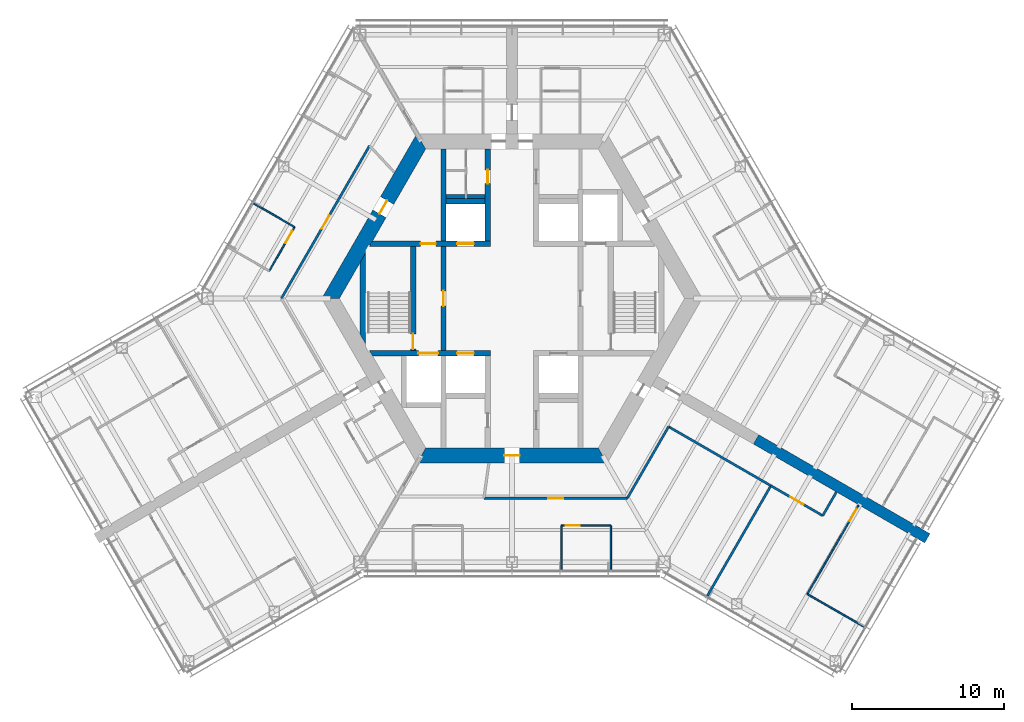
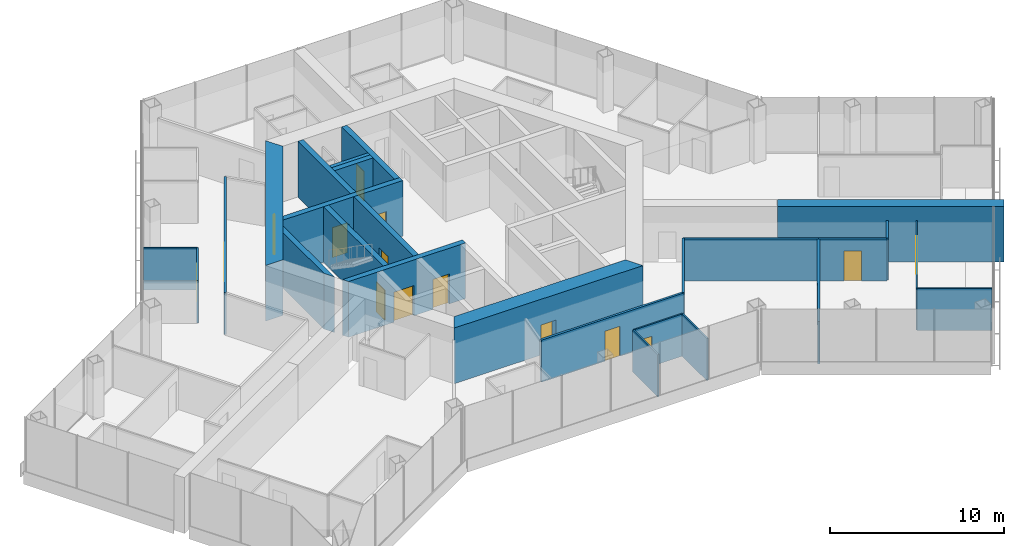
# One storey, part 13 of 18: 26 walls, 15 doors, 15 openings.
"""IFC4 building model written with IfcOpenShell, lengths in metres."""

from ifc_helpers import new_model, si_unit, direction, frame, frame_2d, origin, place, context, subcontext, project, spatial, polyline, rectangle, outline, extrude, material, layer, layer_set, type_object, element, fill, save


model = new_model("IFC4")

# Units and contexts
model_context = context("Model", 3, precision=1e-05, world=origin(), true_north=direction((0.0, 1.0)))
body_context = subcontext(model_context, "Body", "Model", "MODEL_VIEW")
ifc_project = project(units=[si_unit("LENGTHUNIT", "METRE"), si_unit("AREAUNIT", "SQUARE_METRE"), si_unit("VOLUMEUNIT", "CUBIC_METRE"), si_unit("PLANEANGLEUNIT", "RADIAN"), si_unit("MASSUNIT", "GRAM", prefix="KILO")], contexts=[model_context])

# Site, building, storey
site_placement = place(None, origin())
site = spatial("IfcSite", under=ifc_project, at=site_placement, CompositionType="ELEMENT")
building_placement = place(site_placement, origin())
building = spatial("IfcBuilding", under=site, at=building_placement, Name="Kasaneha Research Tower", CompositionType="ELEMENT")
storey_placement = place(building_placement, frame((0.0, 0.0, 187.699951171875)))
storey = spatial("IfcBuildingStorey", under=building, at=storey_placement, Name="L47", CompositionType="ELEMENT", Elevation=187.699951171875)

# Wall, openings, doors
ifc_material_1 = material(Name="Concrete Fc70", Category="concrete")
ifc_layer_1 = layer(ifc_material_1, 0.35009765625)
ifc_layer_set_1 = layer_set([ifc_layer_1], Name="Core internal wall 350 Fc70")
wall_type_1 = type_object("IfcWallType", Name="Core internal wall 350 Fc70", PredefinedType="SHEAR", material=ifc_layer_set_1)
wall_1_placement = place(storey_placement, frame((-9.266357421875, 3.60009765625, 0.0), z_axis=(0.0, 0.0, 1.0), x_axis=(1.0, 0.0, 0.0)))
wall_1 = element("IfcWall", 1, at=wall_1_placement, inside=storey, type_object=wall_type_1, Name="Core wall W1W L47", PredefinedType="SHEAR", context=body_context, shape_type="SweptSolid", body=[
    extrude(outline(polyline([(-0.10107421875, -0.175048828125), (3.266357421875, -0.175048828125), (4.266357421875, -0.175048828125), (5.66650390625, -0.175048828125), (6.7666015625, -0.175048828125), (7.84130859375, -0.175048828125), (7.84130859375, 0.175048828125), (6.7666015625, 0.175048828125), (5.66650390625, 0.175048828125), (4.266357421875, 0.175048828125), (3.266357421875, 0.175048828125), (0.10107421875, 0.175048828125), (-0.10107421875, -0.175048828125)])), origin(), (0.0, 0.0, 1.0), 3.900146484375),
])
opening_1_placement = place(wall_1_placement, frame((3.266357421875, 0.0, 0.0)))
opening_1 = element("IfcOpeningElement", 2, at=opening_1_placement, cuts=wall_1, Name="Opening L47-D12", PredefinedType="OPENING", context=body_context, shape_type="SweptSolid", body=[
    extrude(rectangle(XDim=1.0, YDim=2.10009765625, at=frame_2d((0.5, 1.050048828125))), frame((0.0, 0.18505859375, 0.0), z_axis=(0.0, -1.0, 0.0), x_axis=(1.0, 0.0, 0.0)), (0.0, 0.0, 1.0), 0.3701171875),
])
opening_2_placement = place(wall_1_placement, frame((5.66650390625, 0.0, 0.0)))
opening_2 = element("IfcOpeningElement", 3, at=opening_2_placement, cuts=wall_1, Name="Opening LD-LM1-L47", PredefinedType="OPENING", context=body_context, shape_type="SweptSolid", body=[
    extrude(rectangle(XDim=1.10009765625, YDim=2.10009765625, at=frame_2d((0.550048828125, 1.050048828125))), frame((0.0, 0.18505859375, 0.0), z_axis=(0.0, -1.0, 0.0), x_axis=(1.0, 0.0, 0.0)), (0.0, 0.0, 1.0), 0.3701171875),
])
ifc_material_2 = material(Name="Steel", Category="steel")
door_type_1 = type_object("IfcDoorType", Name="Lift landing door 1100x2100", OperationType="DOUBLE_DOOR_SLIDING", PredefinedType="DOOR", material=ifc_material_2)
door_1_placement = place(opening_2_placement, origin())
door_1 = element("IfcDoor", 4, at=door_1_placement, inside=storey, type_object=door_type_1, Name="Landing door LM1 LD-LM1-L47", OperationType="DOUBLE_DOOR_SLIDING", OverallHeight=2.10009765625, OverallWidth=1.10009765625, PredefinedType="DOOR", context=body_context, shape_type="SweptSolid", body=[
    extrude(rectangle(XDim=1.10009765625, YDim=2.10009765625, at=frame_2d((0.550048828125, 1.050048828125))), frame((0.0, 0.02490234375, 0.0), z_axis=(0.0, -1.0, 0.0), x_axis=(1.0, 0.0, 0.0)), (0.0, 0.0, 1.0), 0.050048828125),
])
fill(opening_2, door_1)
ifc_material_3 = material(Name="Steel", Category="steel")
door_type_2 = type_object("IfcDoorType", Name="Specified fire door FD60 1000x2100", OperationType="NOTDEFINED", PredefinedType="DOOR", material=ifc_material_3)
door_2_placement = place(opening_1_placement, origin())
door_2 = element("IfcDoor", 5, at=door_2_placement, inside=storey, type_object=door_type_2, Name="Vestibule to lobby door L47-D12", OperationType="SINGLE_SWING_LEFT", OverallHeight=2.10009765625, OverallWidth=1.0, PredefinedType="DOOR", context=body_context, shape_type="SweptSolid", body=[
    extrude(rectangle(XDim=1.0, YDim=2.10009765625, at=frame_2d((0.5, 1.050048828125))), frame((0.0, 0.02490234375, 0.0), z_axis=(0.0, -1.0, 0.0), x_axis=(1.0, 0.0, 0.0)), (0.0, 0.0, 1.0), 0.050048828125),
])
fill(opening_1, door_2)

wall_2_placement = place(storey_placement, frame((-9.266357421875, -3.60009765625, 0.0), z_axis=(0.0, 0.0, 1.0), x_axis=(1.0, 0.0, 0.0)))
wall_2 = element("IfcWall", 6, at=wall_2_placement, inside=storey, type_object=wall_type_1, Name="Core wall W2W L47", PredefinedType="SHEAR", context=body_context, shape_type="SweptSolid", body=[
    extrude(outline(polyline([(0.10107421875, -0.175048828125), (3.116455078125, -0.175048828125), (4.41650390625, -0.175048828125), (5.66650390625, -0.175048828125), (6.7666015625, -0.175048828125), (7.84130859375, -0.175048828125), (7.84130859375, 0.175048828125), (6.7666015625, 0.175048828125), (5.66650390625, 0.175048828125), (4.41650390625, 0.175048828125), (3.116455078125, 0.175048828125), (-0.10107421875, 0.175048828125), (0.10107421875, -0.175048828125)])), origin(), (0.0, 0.0, 1.0), 3.900146484375),
])
opening_3_placement = place(wall_2_placement, frame((5.66650390625, 0.0, 0.0)))
opening_3 = element("IfcOpeningElement", 7, at=opening_3_placement, cuts=wall_2, Name="Opening LD-LM3-L47", PredefinedType="OPENING", context=body_context, shape_type="SweptSolid", body=[
    extrude(rectangle(XDim=1.10009765625, YDim=2.10009765625, at=frame_2d((0.550048828125, 1.050048828125))), frame((0.0, 0.18505859375, 0.0), z_axis=(0.0, -1.0, 0.0), x_axis=(1.0, 0.0, 0.0)), (0.0, 0.0, 1.0), 0.3701171875),
])
opening_4_placement = place(wall_2_placement, frame((3.116455078125, 0.0, 0.0)))
opening_4 = element("IfcOpeningElement", 8, at=opening_4_placement, cuts=wall_2, Name="Opening LD-FL2-L47", PredefinedType="OPENING", context=body_context, shape_type="SweptSolid", body=[
    extrude(rectangle(XDim=1.300048828125, YDim=2.10009765625, at=frame_2d((0.64990234375, 1.050048828125))), frame((0.0, 0.18505859375, 0.0), z_axis=(0.0, -1.0, 0.0), x_axis=(1.0, 0.0, 0.0)), (0.0, 0.0, 1.0), 0.3701171875),
])
door_3_placement = place(opening_3_placement, origin())
door_3 = element("IfcDoor", 9, at=door_3_placement, inside=storey, type_object=door_type_1, Name="Landing door LM3 LD-LM3-L47", OperationType="DOUBLE_DOOR_SLIDING", OverallHeight=2.10009765625, OverallWidth=1.10009765625, PredefinedType="DOOR", context=body_context, shape_type="SweptSolid", body=[
    extrude(rectangle(XDim=1.10009765625, YDim=2.10009765625, at=frame_2d((0.550048828125, 1.050048828125))), frame((0.0, 0.02490234375, 0.0), z_axis=(0.0, -1.0, 0.0), x_axis=(1.0, 0.0, 0.0)), (0.0, 0.0, 1.0), 0.050048828125),
])
fill(opening_3, door_3)
ifc_material_4 = material(Name="Steel", Category="steel")
door_type_3 = type_object("IfcDoorType", Name="Lift landing door 1300x2100", OperationType="DOUBLE_DOOR_SLIDING", PredefinedType="DOOR", material=ifc_material_4)
door_4_placement = place(opening_4_placement, origin())
door_4 = element("IfcDoor", 10, at=door_4_placement, inside=storey, type_object=door_type_3, Name="Landing door FL2 LD-FL2-L47", OperationType="DOUBLE_DOOR_SLIDING", OverallHeight=2.10009765625, OverallWidth=1.300048828125, PredefinedType="DOOR", context=body_context, shape_type="SweptSolid", body=[
    extrude(rectangle(XDim=1.300048828125, YDim=2.10009765625, at=frame_2d((0.64990234375, 1.050048828125))), frame((0.0, 0.02490234375, 0.0), z_axis=(0.0, -1.0, 0.0), x_axis=(1.0, 0.0, 0.0)), (0.0, 0.0, 1.0), 0.050048828125),
])
fill(opening_4, door_4)

# Wall, opening, door
wall_3_placement = place(storey_placement, frame((-1.60009765625, 3.77490234375, 0.0), z_axis=(0.0, 0.0, 1.0), x_axis=(0.0, 1.0, 0.0)))
wall_3 = element("IfcWall", 11, at=wall_3_placement, inside=storey, type_object=wall_type_1, Name="Core wall CNW L47", PredefinedType="SHEAR", context=body_context, shape_type="SweptSolid", body=[
    extrude(rectangle(XDim=6.050048828125, YDim=0.35009765625, at=frame_2d((3.02490234375, 0.0))), origin(), (0.0, 0.0, 1.0), 3.900146484375),
])
opening_5_placement = place(wall_3_placement, frame((3.77490234375, 0.0, 0.0)))
opening_5 = element("IfcOpeningElement", 12, at=opening_5_placement, cuts=wall_3, Name="Opening L47-D13", PredefinedType="OPENING", context=body_context, shape_type="SweptSolid", body=[
    extrude(rectangle(XDim=0.89990234375, YDim=2.10009765625, at=frame_2d((0.449951171875, 1.050048828125))), frame((0.0, 0.18505859375, 0.0), z_axis=(0.0, -1.0, 0.0), x_axis=(1.0, 0.0, 0.0)), (0.0, 0.0, 1.0), 0.3701171875),
])
ifc_material_5 = material(Name="Steel", Category="steel")
door_type_4 = type_object("IfcDoorType", Name="Toilet door FD20 900x2100", OperationType="NOTDEFINED", PredefinedType="DOOR", material=ifc_material_5)
door_5_placement = place(opening_5_placement, origin())
door_5 = element("IfcDoor", 13, at=door_5_placement, inside=storey, type_object=door_type_4, Name="Men's WC door L47-D13", OperationType="SINGLE_SWING_LEFT", OverallHeight=2.10009765625, OverallWidth=0.89990234375, PredefinedType="DOOR", context=body_context, shape_type="SweptSolid", body=[
    extrude(rectangle(XDim=0.89990234375, YDim=2.10009765625, at=frame_2d((0.449951171875, 1.050048828125))), frame((0.0, 0.02490234375, 0.0), z_axis=(0.0, -1.0, 0.0), x_axis=(1.0, 0.0, 0.0)), (0.0, 0.0, 1.0), 0.050048828125),
])
fill(opening_5, door_5)

wall_4_placement = place(storey_placement, frame((-4.5, -3.425048828125, 0.0), z_axis=(0.0, 0.0, 1.0), x_axis=(0.0, 1.0, 0.0)))
wall_4 = element("IfcWall", 14, at=wall_4_placement, inside=storey, type_object=wall_type_1, Name="Core wall LBW L47", PredefinedType="SHEAR", context=body_context, shape_type="SweptSolid", body=[
    extrude(rectangle(XDim=6.85009765625, YDim=0.35009765625, at=frame_2d((3.425048828125, 0.0))), origin(), (0.0, 0.0, 1.0), 3.900146484375),
])
opening_6_placement = place(wall_4_placement, frame((2.925048828125, 0.0, 0.0)))
opening_6 = element("IfcOpeningElement", 15, at=opening_6_placement, cuts=wall_4, Name="Opening L47-D09", PredefinedType="OPENING", context=body_context, shape_type="SweptSolid", body=[
    extrude(rectangle(XDim=1.0, YDim=2.10009765625, at=frame_2d((0.5, 1.050048828125))), frame((0.0, 0.18505859375, 0.0), z_axis=(0.0, -1.0, 0.0), x_axis=(1.0, 0.0, 0.0)), (0.0, 0.0, 1.0), 0.3701171875),
])
door_6_placement = place(opening_6_placement, origin())
door_6 = element("IfcDoor", 16, at=door_6_placement, inside=storey, type_object=door_type_2, Name="Lift lobby door west L47-D09", OperationType="SINGLE_SWING_LEFT", OverallHeight=2.10009765625, OverallWidth=1.0, PredefinedType="DOOR", context=body_context, shape_type="SweptSolid", body=[
    extrude(rectangle(XDim=1.0, YDim=2.10009765625, at=frame_2d((0.5, 1.050048828125))), frame((0.0, 0.02490234375, 0.0), z_axis=(0.0, -1.0, 0.0), x_axis=(1.0, 0.0, 0.0)), (0.0, 0.0, 1.0), 0.050048828125),
])
fill(opening_6, door_6)

wall_5_placement = place(storey_placement, frame((-6.5, -3.425048828125, 0.0), z_axis=(0.0, 0.0, 1.0), x_axis=(0.0, 1.0, 0.0)))
wall_5 = element("IfcWall", 17, at=wall_5_placement, inside=storey, type_object=wall_type_1, Name="Core wall ANW L47", PredefinedType="SHEAR", context=body_context, shape_type="SweptSolid", body=[
    extrude(rectangle(XDim=6.85009765625, YDim=0.35009765625, at=frame_2d((3.425048828125, 0.0))), origin(), (0.0, 0.0, 1.0), 3.900146484375),
])
opening_7_placement = place(wall_5_placement, frame((0.10009765625, 0.0, 0.0)))
opening_7 = element("IfcOpeningElement", 18, at=opening_7_placement, cuts=wall_5, Name="Opening L47-D11", PredefinedType="OPENING", context=body_context, shape_type="SweptSolid", body=[
    extrude(rectangle(XDim=1.0, YDim=2.10009765625, at=frame_2d((0.5, 1.050048828125))), frame((0.0, 0.18505859375, 0.0), z_axis=(0.0, -1.0, 0.0), x_axis=(1.0, 0.0, 0.0)), (0.0, 0.0, 1.0), 0.3701171875),
])
door_7_placement = place(opening_7_placement, origin())
door_7 = element("IfcDoor", 19, at=door_7_placement, inside=storey, type_object=door_type_2, Name="Stair 2 door L47-D11", OperationType="SINGLE_SWING_LEFT", OverallHeight=2.10009765625, OverallWidth=1.0, PredefinedType="DOOR", context=body_context, shape_type="SweptSolid", body=[
    extrude(rectangle(XDim=1.0, YDim=2.10009765625, at=frame_2d((0.5, 1.050048828125))), frame((0.0, 0.02490234375, 0.0), z_axis=(0.0, -1.0, 0.0), x_axis=(1.0, 0.0, 0.0)), (0.0, 0.0, 1.0), 0.050048828125),
])
fill(opening_7, door_7)

# Walls
wall_6_placement = place(storey_placement, frame((-4.5, 3.77490234375, 0.0), z_axis=(0.0, 0.0, 1.0), x_axis=(0.0, 1.0, 0.0)))
element("IfcWall", 20, at=wall_6_placement, inside=storey, type_object=wall_type_1, Name="Core wall VNW L47", PredefinedType="SHEAR", context=body_context, shape_type="SweptSolid", body=[
    extrude(rectangle(XDim=6.050048828125, YDim=0.35009765625, at=frame_2d((3.02490234375, 0.0))), origin(), (0.0, 0.0, 1.0), 3.900146484375),
])
wall_7_placement = place(storey_placement, frame((-4.324951171875, 6.39990234375, 0.0), z_axis=(0.0, 0.0, 1.0), x_axis=(1.0, 0.0, 0.0)))
element("IfcWall", 21, at=wall_7_placement, inside=storey, type_object=wall_type_1, Name="Core wall N1N L47", PredefinedType="SHEAR", context=body_context, shape_type="SweptSolid", body=[
    extrude(rectangle(XDim=2.550048828125, YDim=0.35009765625, at=frame_2d((1.27490234375, 0.0))), origin(), (0.0, 0.0, 1.0), 3.900146484375),
])
wall_8_placement = place(storey_placement, frame((-9.807861328125, -2.662353515625, 0.0), z_axis=(0.0, 0.0, 1.0), x_axis=(0.0, 1.0, 0.0)))
element("IfcWall", 22, at=wall_8_placement, inside=storey, type_object=wall_type_1, Name="Core wall STW L47", PredefinedType="SHEAR", context=body_context, shape_type="SweptSolid", body=[
    extrude(outline(polyline([(-0.30322265625, -0.175048828125), (5.6279296875, -0.175048828125), (5.021484375, 0.175048828125), (0.30322265625, 0.175048828125), (-0.30322265625, -0.175048828125)])), origin(), (0.0, 0.0, 1.0), 3.900146484375),
])

# Wall, opening, door
ifc_material_6 = material(Name="Concrete Fc70", Category="concrete")
ifc_layer_2 = layer(ifc_material_6, 1.0)
ifc_layer_set_2 = layer_set([ifc_layer_2], Name="Core wall 1000 Fc70")
wall_type_2 = type_object("IfcWallType", Name="Core wall 1000 Fc70", PredefinedType="SHEAR", material=ifc_layer_set_2)
wall_9_placement = place(storey_placement, frame((-5.961181640625, 10.324951171875, 0.0), z_axis=(0.0, 0.0, 1.0), x_axis=(-0.500004296715, -0.866022923061, 0.0)))
wall_9 = element("IfcWall", 23, at=wall_9_placement, inside=storey, type_object=wall_type_2, Name="Core wall 150 L47", PredefinedType="SHEAR", context=body_context, shape_type="SweptSolid", body=[
    extrude(outline(polyline([(-0.28857421875, -0.5), (4.494140625, -0.5), (5.494140625, -0.5), (12.2109375, -0.5), (11.6337890625, 0.5), (5.494140625, 0.5), (4.494140625, 0.5), (0.28857421875, 0.5), (-0.28857421875, -0.5)])), origin(), (0.0, 0.0, 1.0), 3.900146484375),
])
opening_8_placement = place(wall_9_placement, frame((4.494140625, 0.0, 0.0)))
opening_8 = element("IfcOpeningElement", 24, at=opening_8_placement, cuts=wall_9, Name="Opening L47-D07", PredefinedType="OPENING", context=body_context, shape_type="SweptSolid", body=[
    extrude(rectangle(XDim=1.0, YDim=2.10009765625, at=frame_2d((0.5, 1.050048828125))), frame((0.0, 0.510009765625, 0.0), z_axis=(0.0, -1.0, 0.0), x_axis=(1.0, 0.0, 0.0)), (0.0, 0.0, 1.0), 1.02001953125),
])
ifc_material_7 = material(Name="Steel", Category="steel")
door_type_5 = type_object("IfcDoorType", Name="Fire door FD20 1000x2100", OperationType="NOTDEFINED", PredefinedType="DOOR", material=ifc_material_7)
door_8_placement = place(opening_8_placement, origin())
door_8 = element("IfcDoor", 25, at=door_8_placement, inside=storey, type_object=door_type_5, Name="Vestibule door L47-D07", OperationType="SINGLE_SWING_LEFT", OverallHeight=2.10009765625, OverallWidth=1.0, PredefinedType="DOOR", context=body_context, shape_type="SweptSolid", body=[
    extrude(rectangle(XDim=1.0, YDim=2.10009765625, at=frame_2d((0.5, 1.050048828125))), frame((0.0, 0.02490234375, 0.0), z_axis=(0.0, -1.0, 0.0), x_axis=(1.0, 0.0, 0.0)), (0.0, 0.0, 1.0), 0.050048828125),
])
fill(opening_8, door_8)

wall_10_placement = place(storey_placement, frame((-5.961181640625, -10.324951171875, 0.0), z_axis=(0.0, 0.0, 1.0), x_axis=(1.0, 0.0, 0.0)))
wall_10 = element("IfcWall", 26, at=wall_10_placement, inside=storey, type_object=wall_type_2, Name="Core wall 270 L47", PredefinedType="SHEAR", context=body_context, shape_type="SweptSolid", body=[
    extrude(outline(polyline([(-0.28857421875, -0.5), (5.461181640625, -0.5), (6.461181640625, -0.5), (12.2109375, -0.5), (11.6337890625, 0.5), (6.461181640625, 0.5), (5.461181640625, 0.5), (0.28857421875, 0.5), (-0.28857421875, -0.5)])), origin(), (0.0, 0.0, 1.0), 3.900146484375),
])
opening_9_placement = place(wall_10_placement, frame((5.461181640625, 0.0, 0.0)))
opening_9 = element("IfcOpeningElement", 27, at=opening_9_placement, cuts=wall_10, Name="Opening L47-D03", PredefinedType="OPENING", context=body_context, shape_type="SweptSolid", body=[
    extrude(rectangle(XDim=1.0, YDim=2.10009765625, at=frame_2d((0.5, 1.050048828125))), frame((0.0, 0.510009765625, 0.0), z_axis=(0.0, -1.0, 0.0), x_axis=(1.0, 0.0, 0.0)), (0.0, 0.0, 1.0), 1.02001953125),
])
door_9_placement = place(opening_9_placement, origin())
door_9 = element("IfcDoor", 28, at=door_9_placement, inside=storey, type_object=door_type_5, Name="Core door south L47-D03", OperationType="SINGLE_SWING_LEFT", OverallHeight=2.10009765625, OverallWidth=1.0, PredefinedType="DOOR", context=body_context, shape_type="SweptSolid", body=[
    extrude(rectangle(XDim=1.0, YDim=2.10009765625, at=frame_2d((0.5, 1.050048828125))), frame((0.0, 0.02490234375, 0.0), z_axis=(0.0, -1.0, 0.0), x_axis=(1.0, 0.0, 0.0)), (0.0, 0.0, 1.0), 0.050048828125),
])
fill(opening_9, door_9)

# Wall
ifc_material_8 = material(Name="Gypsum board on steel studs, one layer each side", Category="steel")
ifc_layer_3 = layer(ifc_material_8, 0.10009765625)
ifc_layer_set_3 = layer_set([ifc_layer_3], Name="Office partition 100")
wall_type_3 = type_object("IfcWallType", Name="Office partition 100", PredefinedType="PARTITIONING", material=ifc_layer_set_3)
wall_11_placement = place(storey_placement, frame((-16.97607421875, 6.247802734375, 0.0), z_axis=(0.0, 0.0, 1.0), x_axis=(0.866023220135, -0.500003782172, 0.0)))
element("IfcWall", 29, at=wall_11_placement, inside=storey, type_object=wall_type_3, Name="Office partition FBN15 L47", PredefinedType="PARTITIONING", context=body_context, shape_type="SweptSolid", body=[
    extrude(rectangle(XDim=3.10498046875, YDim=0.10009765625, at=frame_2d((1.552490234375, 0.0))), origin(), (0.0, 0.0, 1.0), 2.949951171875),
])

# Wall, opening, door
wall_12_placement = place(storey_placement, frame((-14.287109375, 4.6953125, 0.0), z_axis=(0.0, 0.0, 1.0), x_axis=(-0.499946633866, -0.866056212544, 0.0)))
wall_12 = element("IfcWall", 30, at=wall_12_placement, inside=storey, type_object=wall_type_3, Name="Office partition FBN17 L47", PredefinedType="PARTITIONING", context=body_context, shape_type="SweptSolid", body=[
    extrude(rectangle(XDim=3.330810546875, YDim=0.10009765625, at=frame_2d((1.66552734375, 0.0))), origin(), (0.0, 0.0, 1.0), 2.949951171875),
])
opening_10_placement = place(wall_12_placement, frame((0.300048828125, 0.0, 0.0)))
opening_10 = element("IfcOpeningElement", 31, at=opening_10_placement, cuts=wall_12, Name="Opening L47-D36", PredefinedType="OPENING", context=body_context, shape_type="SweptSolid", body=[
    extrude(rectangle(XDim=0.89990234375, YDim=2.10009765625, at=frame_2d((0.449951171875, 1.050048828125))), frame((0.0, 0.06005859375, 0.0), z_axis=(0.0, -1.0, 0.0), x_axis=(1.0, 0.0, 0.0)), (0.0, 0.0, 1.0), 0.1201171875),
])
ifc_material_9 = material(Name="Timber veneer", Category="wood")
door_type_6 = type_object("IfcDoorType", Name="Office door 900x2100", OperationType="SINGLE_SWING_LEFT", PredefinedType="DOOR", material=ifc_material_9)
door_10_placement = place(opening_10_placement, origin())
door_10 = element("IfcDoor", 32, at=door_10_placement, inside=storey, type_object=door_type_6, Name="Project room door L47-D36", OperationType="SINGLE_SWING_LEFT", OverallHeight=2.10009765625, OverallWidth=0.89990234375, PredefinedType="DOOR", context=body_context, shape_type="SweptSolid", body=[
    extrude(rectangle(XDim=0.89990234375, YDim=2.10009765625, at=frame_2d((0.449951171875, 1.050048828125))), frame((0.0, 0.02490234375, 0.0), z_axis=(0.0, -1.0, 0.0), x_axis=(1.0, 0.0, 0.0)), (0.0, 0.0, 1.0), 0.050048828125),
])
fill(opening_10, door_10)

# Wall
wall_13_placement = place(storey_placement, frame((3.246337890625, -17.800537109375, 0.0), z_axis=(0.0, 0.0, 1.0), x_axis=(0.0, 1.0, 0.0)))
element("IfcWall", 33, at=wall_13_placement, inside=storey, type_object=wall_type_3, Name="Office partition FCS07 L47", PredefinedType="PARTITIONING", context=body_context, shape_type="SweptSolid", body=[
    extrude(rectangle(XDim=2.880126953125, YDim=0.10009765625, at=frame_2d((1.43994140625, 0.0))), origin(), (0.0, 0.0, 1.0), 2.949951171875),
])

# Wall, opening, door
wall_14_placement = place(storey_placement, frame((3.246337890625, -14.92041015625, 0.0), z_axis=(0.0, 0.0, 1.0), x_axis=(1.0, 0.0, 0.0)))
wall_14 = element("IfcWall", 34, at=wall_14_placement, inside=storey, type_object=wall_type_3, Name="Office partition FCS08 L47", PredefinedType="PARTITIONING", context=body_context, shape_type="SweptSolid", body=[
    extrude(rectangle(XDim=3.24658203125, YDim=0.10009765625, at=frame_2d((1.623291015625, 0.0))), origin(), (0.0, 0.0, 1.0), 2.949951171875),
])
opening_11_placement = place(wall_14_placement, frame((0.300048828125, 0.0, 0.0)))
opening_11 = element("IfcOpeningElement", 35, at=opening_11_placement, cuts=wall_14, Name="Opening L47-D45", PredefinedType="OPENING", context=body_context, shape_type="SweptSolid", body=[
    extrude(rectangle(XDim=0.89990234375, YDim=2.10009765625, at=frame_2d((0.449951171875, 1.050048828125))), frame((0.0, 0.06005859375, 0.0), z_axis=(0.0, -1.0, 0.0), x_axis=(1.0, 0.0, 0.0)), (0.0, 0.0, 1.0), 0.1201171875),
])
door_11_placement = place(opening_11_placement, origin())
door_11 = element("IfcDoor", 36, at=door_11_placement, inside=storey, type_object=door_type_6, Name="Manager's office door L47-D45", OperationType="SINGLE_SWING_LEFT", OverallHeight=2.10009765625, OverallWidth=0.89990234375, PredefinedType="DOOR", context=body_context, shape_type="SweptSolid", body=[
    extrude(rectangle(XDim=0.89990234375, YDim=2.10009765625, at=frame_2d((0.449951171875, 1.050048828125))), frame((0.0, 0.02490234375, 0.0), z_axis=(0.0, -1.0, 0.0), x_axis=(1.0, 0.0, 0.0)), (0.0, 0.0, 1.0), 0.050048828125),
])
fill(opening_11, door_11)

# Wall
wall_15_placement = place(storey_placement, frame((6.492919921875, -14.92041015625, 0.0), z_axis=(0.0, 0.0, 1.0), x_axis=(0.0, -1.0, 0.0)))
element("IfcWall", 37, at=wall_15_placement, inside=storey, type_object=wall_type_3, Name="Office partition FCS09 L47", PredefinedType="PARTITIONING", context=body_context, shape_type="SweptSolid", body=[
    extrude(rectangle(XDim=2.880126953125, YDim=0.10009765625, at=frame_2d((1.43994140625, 0.0))), origin(), (0.0, 0.0, 1.0), 2.949951171875),
])

# Wall, opening, door
wall_16_placement = place(storey_placement, frame((19.4091796875, -19.423583984375, 0.0), z_axis=(0.0, 0.0, 1.0), x_axis=(0.499996020086, 0.866027701577, 0.0)))
wall_16 = element("IfcWall", 38, at=wall_16_placement, inside=storey, type_object=wall_type_3, Name="Office partition FCS13 L47", PredefinedType="PARTITIONING", context=body_context, shape_type="SweptSolid", body=[
    extrude(rectangle(XDim=6.74658203125, YDim=0.10009765625, at=frame_2d((3.373291015625, 0.0))), origin(), (0.0, 0.0, 1.0), 2.949951171875),
])
opening_12_placement = place(wall_16_placement, frame((5.546630859375, 0.0, 0.0)))
opening_12 = element("IfcOpeningElement", 39, at=opening_12_placement, cuts=wall_16, Name="Opening L47-D47", PredefinedType="OPENING", context=body_context, shape_type="SweptSolid", body=[
    extrude(rectangle(XDim=0.89990234375, YDim=2.10009765625, at=frame_2d((0.449951171875, 1.050048828125))), frame((0.0, 0.06005859375, 0.0), z_axis=(0.0, -1.0, 0.0), x_axis=(1.0, 0.0, 0.0)), (0.0, 0.0, 1.0), 0.1201171875),
])
door_12_placement = place(opening_12_placement, origin())
door_12 = element("IfcDoor", 40, at=door_12_placement, inside=storey, type_object=door_type_6, Name="Meeting room door L47-D47", OperationType="SINGLE_SWING_RIGHT", OverallHeight=2.10009765625, OverallWidth=0.89990234375, PredefinedType="DOOR", context=body_context, shape_type="SweptSolid", body=[
    extrude(rectangle(XDim=0.89990234375, YDim=2.10009765625, at=frame_2d((0.449951171875, 1.050048828125))), frame((0.0, 0.02490234375, 0.0), z_axis=(0.0, -1.0, 0.0), x_axis=(1.0, 0.0, 0.0)), (0.0, 0.0, 1.0), 0.050048828125),
])
fill(opening_12, door_12)

# Walls
wall_17_placement = place(storey_placement, frame((23.137451171875, -21.575927734375, 0.0), z_axis=(0.0, 0.0, 1.0), x_axis=(-0.866042984989, 0.499969547224, 0.0)))
element("IfcWall", 41, at=wall_17_placement, inside=storey, type_object=wall_type_3, Name="Office partition FCS14 L47", PredefinedType="PARTITIONING", context=body_context, shape_type="SweptSolid", body=[
    extrude(rectangle(XDim=4.304931640625, YDim=0.10009765625, at=frame_2d((2.15234375, 0.0))), origin(), (0.0, 0.0, 1.0), 2.949951171875),
])
ifc_material_10 = material(Name="Concrete Fc70", Category="concrete")
ifc_layer_4 = layer(ifc_material_10, 0.699951171875)
ifc_layer_set_4 = layer_set([ifc_layer_4], Name="Spine wall 700 Fc70")
wall_type_4 = type_object("IfcWallType", Name="Spine wall 700 Fc70", PredefinedType="SHEAR", material=ifc_layer_set_4)
wall_18_placement = place(storey_placement, frame((16.039306640625, -9.26025390625, 0.0), z_axis=(0.0, 0.0, 1.0), x_axis=(0.866024837091, -0.50000098154, 0.0)))
element("IfcWall", 42, at=wall_18_placement, inside=storey, type_object=wall_type_4, Name="Spine wall C wing L47", PredefinedType="SHEAR", context=body_context, shape_type="SweptSolid", body=[
    extrude(rectangle(XDim=13.0, YDim=0.699951171875, at=frame_2d((6.5, 0.0))), origin(), (0.0, 0.0, 1.0), 3.900146484375),
])

# Wall, opening, door
ifc_material_11 = material(Name="Gypsum board on steel studs, two layers each side", Category="steel")
ifc_layer_5 = layer(ifc_material_11, 0.14990234375)
ifc_layer_set_5 = layer_set([ifc_layer_5], Name="Suite partition 150")
wall_type_5 = type_object("IfcWallType", Name="Suite partition 150", PredefinedType="PARTITIONING", material=ifc_layer_set_5)
wall_19_placement = place(storey_placement, frame((-15.155517578125, 0.0, 0.0), z_axis=(0.0, 0.0, 1.0), x_axis=(0.500012970505, 0.86601791513, 0.0)))
wall_19 = element("IfcWall", 43, at=wall_19_placement, inside=storey, type_object=wall_type_5, Name="Suite partition FBN02 L47", PredefinedType="PARTITIONING", context=body_context, shape_type="SweptSolid", body=[
    extrude(rectangle(XDim=11.590576171875, YDim=0.14990234375, at=frame_2d((5.79541015625, 0.0))), origin(), (0.0, 0.0, 1.0), 2.949951171875),
])
opening_13_placement = place(wall_19_placement, frame((5.295166015625, 0.0, 0.0)))
opening_13 = element("IfcOpeningElement", 44, at=opening_13_placement, cuts=wall_19, Name="Opening L47-D31", PredefinedType="OPENING", context=body_context, shape_type="SweptSolid", body=[
    extrude(rectangle(XDim=1.0, YDim=2.10009765625, at=frame_2d((0.5, 1.050048828125))), frame((0.0, 0.0849609375, 0.0), z_axis=(0.0, -1.0, 0.0), x_axis=(1.0, 0.0, 0.0)), (0.0, 0.0, 1.0), 0.169921875),
])
ifc_material_12 = material(Name="Steel", Category="steel")
door_type_7 = type_object("IfcDoorType", Name="Suite entrance door FD60 1000x2100", OperationType="NOTDEFINED", PredefinedType="DOOR", material=ifc_material_12)
door_13_placement = place(opening_13_placement, origin())
door_13 = element("IfcDoor", 45, at=door_13_placement, inside=storey, type_object=door_type_7, Name="Suite entrance door L47-D31", OperationType="SINGLE_SWING_RIGHT", OverallHeight=2.10009765625, OverallWidth=1.0, PredefinedType="DOOR", context=body_context, shape_type="SweptSolid", body=[
    extrude(rectangle(XDim=1.0, YDim=2.10009765625, at=frame_2d((0.5, 1.050048828125))), frame((0.0, 0.02490234375, 0.0), z_axis=(0.0, -1.0, 0.0), x_axis=(1.0, 0.0, 0.0)), (0.0, 0.0, 1.0), 0.050048828125),
])
fill(opening_13, door_13)

wall_20_placement = place(storey_placement, frame((7.57763671875, -13.125, 0.0), z_axis=(0.0, 0.0, 1.0), x_axis=(-1.0, 0.0, 0.0)))
wall_20 = element("IfcWall", 46, at=wall_20_placement, inside=storey, type_object=wall_type_5, Name="Suite partition FCS02 L47", PredefinedType="PARTITIONING", context=body_context, shape_type="SweptSolid", body=[
    extrude(rectangle(XDim=9.422119140625, YDim=0.14990234375, at=frame_2d((4.7109375, 0.0))), origin(), (0.0, 0.0, 1.0), 2.949951171875),
])
opening_14_placement = place(wall_20_placement, frame((4.211181640625, 0.0, 0.0)))
opening_14 = element("IfcOpeningElement", 47, at=opening_14_placement, cuts=wall_20, Name="Opening L47-D43", PredefinedType="OPENING", context=body_context, shape_type="SweptSolid", body=[
    extrude(rectangle(XDim=1.0, YDim=2.10009765625, at=frame_2d((0.5, 1.050048828125))), frame((0.0, 0.0849609375, 0.0), z_axis=(0.0, -1.0, 0.0), x_axis=(1.0, 0.0, 0.0)), (0.0, 0.0, 1.0), 0.169921875),
])
door_14_placement = place(opening_14_placement, origin())
door_14 = element("IfcDoor", 48, at=door_14_placement, inside=storey, type_object=door_type_7, Name="Suite entrance door L47-D43", OperationType="SINGLE_SWING_LEFT", OverallHeight=2.10009765625, OverallWidth=1.0, PredefinedType="DOOR", context=body_context, shape_type="SweptSolid", body=[
    extrude(rectangle(XDim=1.0, YDim=2.10009765625, at=frame_2d((0.5, 1.050048828125))), frame((0.0, 0.02490234375, 0.0), z_axis=(0.0, -1.0, 0.0), x_axis=(1.0, 0.0, 0.0)), (0.0, 0.0, 1.0), 0.050048828125),
])
fill(opening_14, door_14)

# Walls
wall_21_placement = place(storey_placement, frame((10.29150390625, -8.424560546875, 0.0), z_axis=(0.0, 0.0, 1.0), x_axis=(-0.500009286329, -0.866020042254, 0.0)))
element("IfcWall", 49, at=wall_21_placement, inside=storey, type_object=wall_type_5, Name="Suite partition FCS03 L47", PredefinedType="PARTITIONING", context=body_context, shape_type="SweptSolid", body=[
    extrude(rectangle(XDim=5.427734375, YDim=0.14990234375, at=frame_2d((2.7138671875, 0.0))), origin(), (0.0, 0.0, 1.0), 2.949951171875),
])
wall_22_placement = place(storey_placement, frame((17.021484375, -12.31005859375, 0.0), z_axis=(0.0, 0.0, 1.0), x_axis=(-0.866028634939, 0.499994403434, 0.0)))
element("IfcWall", 50, at=wall_22_placement, inside=storey, type_object=wall_type_5, Name="Suite partition FCS04 L47", PredefinedType="PARTITIONING", context=body_context, shape_type="SweptSolid", body=[
    extrude(rectangle(XDim=7.77099609375, YDim=0.14990234375, at=frame_2d((3.885498046875, 0.0))), origin(), (0.0, 0.0, 1.0), 2.949951171875),
])

# Wall, opening, door
wall_23_placement = place(storey_placement, frame((20.420166015625, -14.272216796875, 0.0), z_axis=(0.0, 0.0, 1.0), x_axis=(-0.866011978186, 0.500023253097, 0.0)))
wall_23 = element("IfcWall", 51, at=wall_23_placement, inside=storey, type_object=wall_type_5, Name="Suite partition FCS05 L47", PredefinedType="PARTITIONING", context=body_context, shape_type="SweptSolid", body=[
    extrude(rectangle(XDim=3.934326171875, YDim=0.14990234375, at=frame_2d((1.96728515625, 0.0))), origin(), (0.0, 0.0, 1.0), 2.949951171875),
])
opening_15_placement = place(wall_23_placement, frame((1.46728515625, 0.0, 0.0)))
opening_15 = element("IfcOpeningElement", 52, at=opening_15_placement, cuts=wall_23, Name="Opening L47-D44", PredefinedType="OPENING", context=body_context, shape_type="SweptSolid", body=[
    extrude(rectangle(XDim=1.0, YDim=2.10009765625, at=frame_2d((0.5, 1.050048828125))), frame((0.0, 0.0849609375, 0.0), z_axis=(0.0, -1.0, 0.0), x_axis=(1.0, 0.0, 0.0)), (0.0, 0.0, 1.0), 0.169921875),
])
door_15_placement = place(opening_15_placement, origin())
door_15 = element("IfcDoor", 53, at=door_15_placement, inside=storey, type_object=door_type_7, Name="Suite entrance door L47-D44", OperationType="SINGLE_SWING_RIGHT", OverallHeight=2.10009765625, OverallWidth=1.0, PredefinedType="DOOR", context=body_context, shape_type="SweptSolid", body=[
    extrude(rectangle(XDim=1.0, YDim=2.10009765625, at=frame_2d((0.5, 1.050048828125))), frame((0.0, 0.02490234375, 0.0), z_axis=(0.0, -1.0, 0.0), x_axis=(1.0, 0.0, 0.0)), (0.0, 0.0, 1.0), 0.050048828125),
])
fill(opening_15, door_15)

# Walls
wall_24_placement = place(storey_placement, frame((21.310302734375, -12.730712890625, 0.0), z_axis=(0.0, 0.0, 1.0), x_axis=(-0.500062787734, -0.865989150234, 0.0)))
element("IfcWall", 54, at=wall_24_placement, inside=storey, type_object=wall_type_5, Name="Suite partition FCS06 L47", PredefinedType="PARTITIONING", context=body_context, shape_type="SweptSolid", body=[
    extrude(rectangle(XDim=1.780029296875, YDim=0.14990234375, at=frame_2d((0.89013671875, 0.0))), origin(), (0.0, 0.0, 1.0), 2.949951171875),
])
wall_25_placement = place(storey_placement, frame((17.0126953125, -12.305419921875, 0.0), z_axis=(0.0, 0.0, 1.0), x_axis=(-0.499493070184, -0.866317882096, 0.0)))
element("IfcWall", 55, at=wall_25_placement, inside=storey, type_object=wall_type_5, Name="Suite partition FCS15 L47", PredefinedType="PARTITIONING", context=body_context, shape_type="SweptSolid", body=[
    extrude(rectangle(XDim=8.354736328125, YDim=0.14990234375, at=frame_2d((4.17724609375, 0.0))), origin(), (0.0, 0.0, 1.0), 2.949951171875),
])
ifc_material_13 = material(Name="Concrete block lining", Category="concrete")
ifc_layer_6 = layer(ifc_material_13, 0.25)
ifc_layer_set_6 = layer_set([ifc_layer_6], Name="WC plumbing wall 250")
wall_type_6 = type_object("IfcWallType", Name="WC plumbing wall 250", PredefinedType="PLUMBINGWALL", material=ifc_layer_set_6)
wall_26_placement = place(storey_placement, frame((-4.324951171875, 6.699951171875, 0.0), z_axis=(0.0, 0.0, 1.0), x_axis=(1.0, 0.0, 0.0)))
element("IfcWall", 56, at=wall_26_placement, inside=storey, type_object=wall_type_6, Name="WC plumbing wall M L47", PredefinedType="PLUMBINGWALL", context=body_context, shape_type="SweptSolid", body=[
    extrude(rectangle(XDim=2.550048828125, YDim=0.25, at=frame_2d((1.27490234375, 0.0))), origin(), (0.0, 0.0, 1.0), 3.900146484375),
])

save(model, "model.ifc")
